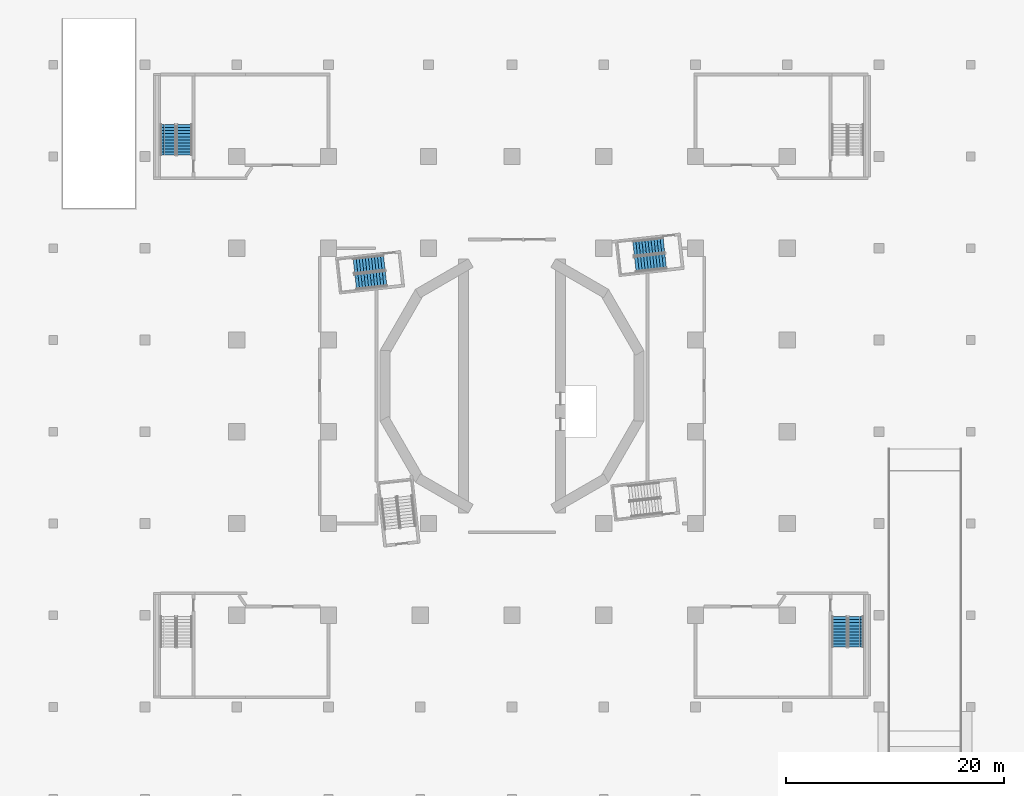
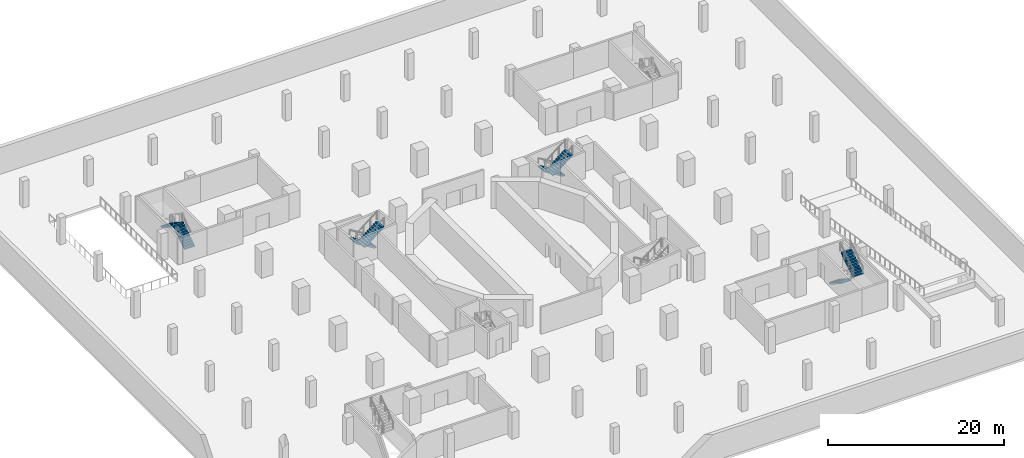
# One storey, part 11 of 18: 8 stair flights, 4 elements without a shape of their own.
"""IFC4 building model written with IfcOpenShell, lengths in metres."""

from ifc_helpers import new_model, si_unit, direction, frame, origin, place, context, subcontext, project, spatial, polyline, outline, extrude, material, type_object, element, aggregate, save


model = new_model("IFC4")

# Units and contexts
model_context = context("Model", 3, precision=1e-05, world=origin(), true_north=direction((0.0, 1.0)))
body_context = subcontext(model_context, "Body", "Model", "MODEL_VIEW")
ifc_project = project(units=[si_unit("LENGTHUNIT", "METRE"), si_unit("AREAUNIT", "SQUARE_METRE"), si_unit("VOLUMEUNIT", "CUBIC_METRE"), si_unit("PLANEANGLEUNIT", "RADIAN"), si_unit("MASSUNIT", "GRAM", prefix="KILO")], contexts=[model_context])

# Site, building, storey
site_placement = place(None, origin())
site = spatial("IfcSite", under=ifc_project, at=site_placement, CompositionType="ELEMENT")
building_placement = place(site_placement, origin())
building = spatial("IfcBuilding", under=site, at=building_placement, Name="Cantera Rosa Tower", CompositionType="ELEMENT")
storey_placement = place(building_placement, frame((0.0, 0.0, -9.0)))
storey = spatial("IfcBuildingStorey", under=building, at=storey_placement, Name="B2", CompositionType="ELEMENT", Elevation=-9.0)

# Stair, stair flights
ifc_material_1 = material(Name="Concrete C35/45", Category="concrete")
stair_type_1 = type_object("IfcStairType", Name="EXIT STAIR 1350 DOGLEG", PredefinedType="HALF_TURN_STAIR", material=ifc_material_1)
stair_1_placement = place(storey_placement, origin())
stair_1 = element("IfcStair", 1, at=stair_1_placement, inside=storey, type_object=stair_type_1, Name="B2 ST-11", PredefinedType="HALF_TURN_STAIR")
ifc_material_2 = material(Name="Concrete C35/45", Category="concrete")
stair_flight_type_1 = type_object("IfcStairFlightType", Name="STAIR FLIGHT 1350 R22x182", PredefinedType="STRAIGHT", material=ifc_material_2)
stair_flight_1_placement = place(storey_placement, frame((13.90869140625, 12.89990234375, 0.0), z_axis=(0.0, 0.0, 1.0), x_axis=(-0.993896947056, -0.110312549749, 0.0)))
stair_flight_1 = element("IfcStairFlight", 2, at=stair_flight_1_placement, type_object=stair_flight_type_1, Name="ST-11 flight 1", NumberOfRisers=11, NumberOfTreads=10, PredefinedType="STRAIGHT", RiserHeight=0.181818182, TreadLength=0.28, context=body_context, shape_type="SweptSolid", body=[
    extrude(outline(polyline([(0.0, 0.0), (0.0, 0.181884765625), (0.280029296875, 0.181884765625), (0.280029296875, 0.363525390625), (0.56005859375, 0.363525390625), (0.56005859375, 0.54541015625), (0.840087890625, 0.54541015625), (0.840087890625, 0.727294921875), (1.1201171875, 0.727294921875), (1.1201171875, 0.9091796875), (1.39990234375, 0.9091796875), (1.39990234375, 1.0908203125), (1.679931640625, 1.0908203125), (1.679931640625, 1.272705078125), (1.9599609375, 1.272705078125), (1.9599609375, 1.45458984375), (2.239990234375, 1.45458984375), (2.239990234375, 1.636474609375), (2.52001953125, 1.636474609375), (2.52001953125, 1.818115234375), (2.800048828125, 1.818115234375), (2.800048828125, 2.0), (2.800048828125, 1.639404296875), (0.275146484375, 0.0), (0.0, 0.0)])), frame((0.0, 0.675048828125, 0.0), z_axis=(0.0, -1.0, 0.0), x_axis=(1.0, 0.0, 0.0)), (0.0, 0.0, 1.0), 0.3359375),
    extrude(outline(polyline([(0.0, 0.0), (0.0, 0.181884765625), (0.280029296875, 0.181884765625), (0.280029296875, 0.363525390625), (0.56005859375, 0.363525390625), (0.56005859375, 0.54541015625), (0.840087890625, 0.54541015625), (0.840087890625, 0.727294921875), (1.1201171875, 0.727294921875), (1.1201171875, 0.9091796875), (1.39990234375, 0.9091796875), (1.39990234375, 1.0908203125), (1.679931640625, 1.0908203125), (1.679931640625, 1.272705078125), (1.9599609375, 1.272705078125), (1.9599609375, 1.45458984375), (2.239990234375, 1.45458984375), (2.239990234375, 1.636474609375), (2.52001953125, 1.636474609375), (2.52001953125, 1.818115234375), (2.800048828125, 1.818115234375), (2.800048828125, 2.0), (2.800048828125, 1.639404296875), (0.275146484375, 0.0), (0.0, 0.0)])), frame((0.0, 0.337158203125, 0.0), z_axis=(0.0, -1.0, 0.0), x_axis=(1.0, 0.0, 0.0)), (0.0, 0.0, 1.0), 0.3359375),
    extrude(outline(polyline([(0.0, 0.0), (0.0, 0.181884765625), (0.280029296875, 0.181884765625), (0.280029296875, 0.363525390625), (0.56005859375, 0.363525390625), (0.56005859375, 0.54541015625), (0.840087890625, 0.54541015625), (0.840087890625, 0.727294921875), (1.1201171875, 0.727294921875), (1.1201171875, 0.9091796875), (1.39990234375, 0.9091796875), (1.39990234375, 1.0908203125), (1.679931640625, 1.0908203125), (1.679931640625, 1.272705078125), (1.9599609375, 1.272705078125), (1.9599609375, 1.45458984375), (2.239990234375, 1.45458984375), (2.239990234375, 1.636474609375), (2.52001953125, 1.636474609375), (2.52001953125, 1.818115234375), (2.800048828125, 1.818115234375), (2.800048828125, 2.0), (2.800048828125, 1.639404296875), (0.275146484375, 0.0), (0.0, 0.0)])), frame((0.0, -0.000732421875, 0.0), z_axis=(0.0, -1.0, 0.0), x_axis=(1.0, 0.0, 0.0)), (0.0, 0.0, 1.0), 0.3359375),
    extrude(outline(polyline([(0.0, 0.0), (0.0, 0.181884765625), (0.280029296875, 0.181884765625), (0.280029296875, 0.363525390625), (0.56005859375, 0.363525390625), (0.56005859375, 0.54541015625), (0.840087890625, 0.54541015625), (0.840087890625, 0.727294921875), (1.1201171875, 0.727294921875), (1.1201171875, 0.9091796875), (1.39990234375, 0.9091796875), (1.39990234375, 1.0908203125), (1.679931640625, 1.0908203125), (1.679931640625, 1.272705078125), (1.9599609375, 1.272705078125), (1.9599609375, 1.45458984375), (2.239990234375, 1.45458984375), (2.239990234375, 1.636474609375), (2.52001953125, 1.636474609375), (2.52001953125, 1.818115234375), (2.800048828125, 1.818115234375), (2.800048828125, 2.0), (2.800048828125, 1.639404296875), (0.275146484375, 0.0), (0.0, 0.0)])), frame((0.0, -0.338623046875, 0.0), z_axis=(0.0, -1.0, 0.0), x_axis=(1.0, 0.0, 0.0)), (0.0, 0.0, 1.0), 0.3359375),
])
stair_flight_2_placement = place(storey_placement, frame((11.291259765625, 11.10009765625, 2.0), z_axis=(0.0, 0.0, 1.0), x_axis=(0.993896947056, 0.110312549749, 0.0)))
stair_flight_2 = element("IfcStairFlight", 3, at=stair_flight_2_placement, type_object=stair_flight_type_1, Name="ST-11 flight 2", NumberOfRisers=11, NumberOfTreads=10, PredefinedType="STRAIGHT", RiserHeight=0.181818182, TreadLength=0.28, context=body_context, shape_type="SweptSolid", body=[
    extrude(outline(polyline([(0.0, 0.0), (0.0, 0.181884765625), (0.280029296875, 0.181884765625), (0.280029296875, 0.363525390625), (0.56005859375, 0.363525390625), (0.56005859375, 0.54541015625), (0.840087890625, 0.54541015625), (0.840087890625, 0.727294921875), (1.1201171875, 0.727294921875), (1.1201171875, 0.9091796875), (1.39990234375, 0.9091796875), (1.39990234375, 1.0908203125), (1.679931640625, 1.0908203125), (1.679931640625, 1.272705078125), (1.9599609375, 1.272705078125), (1.9599609375, 1.45458984375), (2.239990234375, 1.45458984375), (2.239990234375, 1.636474609375), (2.52001953125, 1.636474609375), (2.52001953125, 1.818115234375), (2.800048828125, 1.818115234375), (2.800048828125, 2.0), (2.800048828125, 1.639404296875), (0.275146484375, 0.0), (0.0, 0.0)])), frame((0.0, 0.675048828125, 0.0), z_axis=(0.0, -1.0, 0.0), x_axis=(1.0, 0.0, 0.0)), (0.0, 0.0, 1.0), 0.3359375),
    extrude(outline(polyline([(0.0, 0.0), (0.0, 0.181884765625), (0.280029296875, 0.181884765625), (0.280029296875, 0.363525390625), (0.56005859375, 0.363525390625), (0.56005859375, 0.54541015625), (0.840087890625, 0.54541015625), (0.840087890625, 0.727294921875), (1.1201171875, 0.727294921875), (1.1201171875, 0.9091796875), (1.39990234375, 0.9091796875), (1.39990234375, 1.0908203125), (1.679931640625, 1.0908203125), (1.679931640625, 1.272705078125), (1.9599609375, 1.272705078125), (1.9599609375, 1.45458984375), (2.239990234375, 1.45458984375), (2.239990234375, 1.636474609375), (2.52001953125, 1.636474609375), (2.52001953125, 1.818115234375), (2.800048828125, 1.818115234375), (2.800048828125, 2.0), (2.800048828125, 1.639404296875), (0.275146484375, 0.0), (0.0, 0.0)])), frame((0.0, 0.337158203125, 0.0), z_axis=(0.0, -1.0, 0.0), x_axis=(1.0, 0.0, 0.0)), (0.0, 0.0, 1.0), 0.3359375),
    extrude(outline(polyline([(0.0, 0.0), (0.0, 0.181884765625), (0.280029296875, 0.181884765625), (0.280029296875, 0.363525390625), (0.56005859375, 0.363525390625), (0.56005859375, 0.54541015625), (0.840087890625, 0.54541015625), (0.840087890625, 0.727294921875), (1.1201171875, 0.727294921875), (1.1201171875, 0.9091796875), (1.39990234375, 0.9091796875), (1.39990234375, 1.0908203125), (1.679931640625, 1.0908203125), (1.679931640625, 1.272705078125), (1.9599609375, 1.272705078125), (1.9599609375, 1.45458984375), (2.239990234375, 1.45458984375), (2.239990234375, 1.636474609375), (2.52001953125, 1.636474609375), (2.52001953125, 1.818115234375), (2.800048828125, 1.818115234375), (2.800048828125, 2.0), (2.800048828125, 1.639404296875), (0.275146484375, 0.0), (0.0, 0.0)])), frame((0.0, -0.000732421875, 0.0), z_axis=(0.0, -1.0, 0.0), x_axis=(1.0, 0.0, 0.0)), (0.0, 0.0, 1.0), 0.3359375),
    extrude(outline(polyline([(0.0, 0.0), (0.0, 0.181884765625), (0.280029296875, 0.181884765625), (0.280029296875, 0.363525390625), (0.56005859375, 0.363525390625), (0.56005859375, 0.54541015625), (0.840087890625, 0.54541015625), (0.840087890625, 0.727294921875), (1.1201171875, 0.727294921875), (1.1201171875, 0.9091796875), (1.39990234375, 0.9091796875), (1.39990234375, 1.0908203125), (1.679931640625, 1.0908203125), (1.679931640625, 1.272705078125), (1.9599609375, 1.272705078125), (1.9599609375, 1.45458984375), (2.239990234375, 1.45458984375), (2.239990234375, 1.636474609375), (2.52001953125, 1.636474609375), (2.52001953125, 1.818115234375), (2.800048828125, 1.818115234375), (2.800048828125, 2.0), (2.800048828125, 1.639404296875), (0.275146484375, 0.0), (0.0, 0.0)])), frame((0.0, -0.338623046875, 0.0), z_axis=(0.0, -1.0, 0.0), x_axis=(1.0, 0.0, 0.0)), (0.0, 0.0, 1.0), 0.3359375),
])
aggregate(stair_1, [stair_flight_1, stair_flight_2])

stair_2_placement = place(storey_placement, origin())
stair_2 = element("IfcStair", 4, at=stair_2_placement, inside=storey, type_object=stair_type_1, Name="B2 ST-12", PredefinedType="HALF_TURN_STAIR")
stair_flight_3_placement = place(storey_placement, frame((-11.691162109375, 11.2998046875, 0.0), z_axis=(0.0, 0.0, 1.0), x_axis=(-0.993896947056, -0.110312549749, 0.0)))
stair_flight_3 = element("IfcStairFlight", 5, at=stair_flight_3_placement, type_object=stair_flight_type_1, Name="ST-12 flight 1", NumberOfRisers=11, NumberOfTreads=10, PredefinedType="STRAIGHT", RiserHeight=0.181818182, TreadLength=0.28, context=body_context, shape_type="SweptSolid", body=[
    extrude(outline(polyline([(0.0, 0.0), (0.0, 0.181884765625), (0.280029296875, 0.181884765625), (0.280029296875, 0.363525390625), (0.56005859375, 0.363525390625), (0.56005859375, 0.54541015625), (0.840087890625, 0.54541015625), (0.840087890625, 0.727294921875), (1.1201171875, 0.727294921875), (1.1201171875, 0.9091796875), (1.39990234375, 0.9091796875), (1.39990234375, 1.0908203125), (1.679931640625, 1.0908203125), (1.679931640625, 1.272705078125), (1.9599609375, 1.272705078125), (1.9599609375, 1.45458984375), (2.239990234375, 1.45458984375), (2.239990234375, 1.636474609375), (2.52001953125, 1.636474609375), (2.52001953125, 1.818115234375), (2.800048828125, 1.818115234375), (2.800048828125, 2.0), (2.800048828125, 1.639404296875), (0.275146484375, 0.0), (0.0, 0.0)])), frame((0.0, 0.675048828125, 0.0), z_axis=(0.0, -1.0, 0.0), x_axis=(1.0, 0.0, 0.0)), (0.0, 0.0, 1.0), 0.3359375),
    extrude(outline(polyline([(0.0, 0.0), (0.0, 0.181884765625), (0.280029296875, 0.181884765625), (0.280029296875, 0.363525390625), (0.56005859375, 0.363525390625), (0.56005859375, 0.54541015625), (0.840087890625, 0.54541015625), (0.840087890625, 0.727294921875), (1.1201171875, 0.727294921875), (1.1201171875, 0.9091796875), (1.39990234375, 0.9091796875), (1.39990234375, 1.0908203125), (1.679931640625, 1.0908203125), (1.679931640625, 1.272705078125), (1.9599609375, 1.272705078125), (1.9599609375, 1.45458984375), (2.239990234375, 1.45458984375), (2.239990234375, 1.636474609375), (2.52001953125, 1.636474609375), (2.52001953125, 1.818115234375), (2.800048828125, 1.818115234375), (2.800048828125, 2.0), (2.800048828125, 1.639404296875), (0.275146484375, 0.0), (0.0, 0.0)])), frame((0.0, 0.337158203125, 0.0), z_axis=(0.0, -1.0, 0.0), x_axis=(1.0, 0.0, 0.0)), (0.0, 0.0, 1.0), 0.3359375),
    extrude(outline(polyline([(0.0, 0.0), (0.0, 0.181884765625), (0.280029296875, 0.181884765625), (0.280029296875, 0.363525390625), (0.56005859375, 0.363525390625), (0.56005859375, 0.54541015625), (0.840087890625, 0.54541015625), (0.840087890625, 0.727294921875), (1.1201171875, 0.727294921875), (1.1201171875, 0.9091796875), (1.39990234375, 0.9091796875), (1.39990234375, 1.0908203125), (1.679931640625, 1.0908203125), (1.679931640625, 1.272705078125), (1.9599609375, 1.272705078125), (1.9599609375, 1.45458984375), (2.239990234375, 1.45458984375), (2.239990234375, 1.636474609375), (2.52001953125, 1.636474609375), (2.52001953125, 1.818115234375), (2.800048828125, 1.818115234375), (2.800048828125, 2.0), (2.800048828125, 1.639404296875), (0.275146484375, 0.0), (0.0, 0.0)])), frame((0.0, -0.000732421875, 0.0), z_axis=(0.0, -1.0, 0.0), x_axis=(1.0, 0.0, 0.0)), (0.0, 0.0, 1.0), 0.3359375),
    extrude(outline(polyline([(0.0, 0.0), (0.0, 0.181884765625), (0.280029296875, 0.181884765625), (0.280029296875, 0.363525390625), (0.56005859375, 0.363525390625), (0.56005859375, 0.54541015625), (0.840087890625, 0.54541015625), (0.840087890625, 0.727294921875), (1.1201171875, 0.727294921875), (1.1201171875, 0.9091796875), (1.39990234375, 0.9091796875), (1.39990234375, 1.0908203125), (1.679931640625, 1.0908203125), (1.679931640625, 1.272705078125), (1.9599609375, 1.272705078125), (1.9599609375, 1.45458984375), (2.239990234375, 1.45458984375), (2.239990234375, 1.636474609375), (2.52001953125, 1.636474609375), (2.52001953125, 1.818115234375), (2.800048828125, 1.818115234375), (2.800048828125, 2.0), (2.800048828125, 1.639404296875), (0.275146484375, 0.0), (0.0, 0.0)])), frame((0.0, -0.338623046875, 0.0), z_axis=(0.0, -1.0, 0.0), x_axis=(1.0, 0.0, 0.0)), (0.0, 0.0, 1.0), 0.3359375),
])
stair_flight_4_placement = place(storey_placement, frame((-14.308837890625, 9.500244140625, 2.0), z_axis=(0.0, 0.0, 1.0), x_axis=(0.993896947056, 0.110312549749, 0.0)))
stair_flight_4 = element("IfcStairFlight", 6, at=stair_flight_4_placement, type_object=stair_flight_type_1, Name="ST-12 flight 2", NumberOfRisers=11, NumberOfTreads=10, PredefinedType="STRAIGHT", RiserHeight=0.181818182, TreadLength=0.28, context=body_context, shape_type="SweptSolid", body=[
    extrude(outline(polyline([(0.0, 0.0), (0.0, 0.181884765625), (0.280029296875, 0.181884765625), (0.280029296875, 0.363525390625), (0.56005859375, 0.363525390625), (0.56005859375, 0.54541015625), (0.840087890625, 0.54541015625), (0.840087890625, 0.727294921875), (1.1201171875, 0.727294921875), (1.1201171875, 0.9091796875), (1.39990234375, 0.9091796875), (1.39990234375, 1.0908203125), (1.679931640625, 1.0908203125), (1.679931640625, 1.272705078125), (1.9599609375, 1.272705078125), (1.9599609375, 1.45458984375), (2.239990234375, 1.45458984375), (2.239990234375, 1.636474609375), (2.52001953125, 1.636474609375), (2.52001953125, 1.818115234375), (2.800048828125, 1.818115234375), (2.800048828125, 2.0), (2.800048828125, 1.639404296875), (0.275146484375, 0.0), (0.0, 0.0)])), frame((0.0, 0.675048828125, 0.0), z_axis=(0.0, -1.0, 0.0), x_axis=(1.0, 0.0, 0.0)), (0.0, 0.0, 1.0), 0.3359375),
    extrude(outline(polyline([(0.0, 0.0), (0.0, 0.181884765625), (0.280029296875, 0.181884765625), (0.280029296875, 0.363525390625), (0.56005859375, 0.363525390625), (0.56005859375, 0.54541015625), (0.840087890625, 0.54541015625), (0.840087890625, 0.727294921875), (1.1201171875, 0.727294921875), (1.1201171875, 0.9091796875), (1.39990234375, 0.9091796875), (1.39990234375, 1.0908203125), (1.679931640625, 1.0908203125), (1.679931640625, 1.272705078125), (1.9599609375, 1.272705078125), (1.9599609375, 1.45458984375), (2.239990234375, 1.45458984375), (2.239990234375, 1.636474609375), (2.52001953125, 1.636474609375), (2.52001953125, 1.818115234375), (2.800048828125, 1.818115234375), (2.800048828125, 2.0), (2.800048828125, 1.639404296875), (0.275146484375, 0.0), (0.0, 0.0)])), frame((0.0, 0.337158203125, 0.0), z_axis=(0.0, -1.0, 0.0), x_axis=(1.0, 0.0, 0.0)), (0.0, 0.0, 1.0), 0.3359375),
    extrude(outline(polyline([(0.0, 0.0), (0.0, 0.181884765625), (0.280029296875, 0.181884765625), (0.280029296875, 0.363525390625), (0.56005859375, 0.363525390625), (0.56005859375, 0.54541015625), (0.840087890625, 0.54541015625), (0.840087890625, 0.727294921875), (1.1201171875, 0.727294921875), (1.1201171875, 0.9091796875), (1.39990234375, 0.9091796875), (1.39990234375, 1.0908203125), (1.679931640625, 1.0908203125), (1.679931640625, 1.272705078125), (1.9599609375, 1.272705078125), (1.9599609375, 1.45458984375), (2.239990234375, 1.45458984375), (2.239990234375, 1.636474609375), (2.52001953125, 1.636474609375), (2.52001953125, 1.818115234375), (2.800048828125, 1.818115234375), (2.800048828125, 2.0), (2.800048828125, 1.639404296875), (0.275146484375, 0.0), (0.0, 0.0)])), frame((0.0, -0.000732421875, 0.0), z_axis=(0.0, -1.0, 0.0), x_axis=(1.0, 0.0, 0.0)), (0.0, 0.0, 1.0), 0.3359375),
    extrude(outline(polyline([(0.0, 0.0), (0.0, 0.181884765625), (0.280029296875, 0.181884765625), (0.280029296875, 0.363525390625), (0.56005859375, 0.363525390625), (0.56005859375, 0.54541015625), (0.840087890625, 0.54541015625), (0.840087890625, 0.727294921875), (1.1201171875, 0.727294921875), (1.1201171875, 0.9091796875), (1.39990234375, 0.9091796875), (1.39990234375, 1.0908203125), (1.679931640625, 1.0908203125), (1.679931640625, 1.272705078125), (1.9599609375, 1.272705078125), (1.9599609375, 1.45458984375), (2.239990234375, 1.45458984375), (2.239990234375, 1.636474609375), (2.52001953125, 1.636474609375), (2.52001953125, 1.818115234375), (2.800048828125, 1.818115234375), (2.800048828125, 2.0), (2.800048828125, 1.639404296875), (0.275146484375, 0.0), (0.0, 0.0)])), frame((0.0, -0.338623046875, 0.0), z_axis=(0.0, -1.0, 0.0), x_axis=(1.0, 0.0, 0.0)), (0.0, 0.0, 1.0), 0.3359375),
])
aggregate(stair_2, [stair_flight_3, stair_flight_4])

ifc_material_3 = material(Name="Concrete C35/45", Category="concrete")
stair_type_2 = type_object("IfcStairType", Name="Stair half-turn 1350", PredefinedType="HALF_TURN_STAIR", material=ifc_material_3)
stair_3_placement = place(storey_placement, origin())
stair_3 = element("IfcStair", 7, at=stair_3_placement, inside=storey, type_object=stair_type_2, Name="B2 ST-NW", PredefinedType="HALF_TURN_STAIR")
ifc_material_4 = material(Name="Concrete C35/45", Category="concrete")
stair_flight_type_2 = type_object("IfcStairFlightType", Name="Stair flight 1350", PredefinedType="STRAIGHT", material=ifc_material_4)
stair_flight_5_placement = place(storey_placement, frame((-29.949951171875, 21.125, 0.0), z_axis=(0.0, 0.0, 1.0), x_axis=(0.0, 1.0, 0.0)))
stair_flight_5 = element("IfcStairFlight", 8, at=stair_flight_5_placement, type_object=stair_flight_type_2, Name="ST-NW flight 1", NumberOfRisers=11, NumberOfTreads=10, PredefinedType="STRAIGHT", RiserHeight=0.181818182, TreadLength=0.28, context=body_context, shape_type="SweptSolid", body=[
    extrude(outline(polyline([(0.0, 0.0), (0.0, 0.181884765625), (0.280029296875, 0.181884765625), (0.280029296875, 0.363525390625), (0.56005859375, 0.363525390625), (0.56005859375, 0.54541015625), (0.840087890625, 0.54541015625), (0.840087890625, 0.727294921875), (1.1201171875, 0.727294921875), (1.1201171875, 0.9091796875), (1.39990234375, 0.9091796875), (1.39990234375, 1.0908203125), (1.679931640625, 1.0908203125), (1.679931640625, 1.272705078125), (1.9599609375, 1.272705078125), (1.9599609375, 1.45458984375), (2.239990234375, 1.45458984375), (2.239990234375, 1.636474609375), (2.52001953125, 1.636474609375), (2.52001953125, 1.818115234375), (2.800048828125, 1.818115234375), (2.800048828125, 2.0), (2.800048828125, 1.639404296875), (0.275146484375, 0.0), (0.0, 0.0)])), frame((0.0, 0.675048828125, 0.0), z_axis=(0.0, -1.0, 0.0), x_axis=(1.0, 0.0, 0.0)), (0.0, 0.0, 1.0), 0.3359375),
    extrude(outline(polyline([(0.0, 0.0), (0.0, 0.181884765625), (0.280029296875, 0.181884765625), (0.280029296875, 0.363525390625), (0.56005859375, 0.363525390625), (0.56005859375, 0.54541015625), (0.840087890625, 0.54541015625), (0.840087890625, 0.727294921875), (1.1201171875, 0.727294921875), (1.1201171875, 0.9091796875), (1.39990234375, 0.9091796875), (1.39990234375, 1.0908203125), (1.679931640625, 1.0908203125), (1.679931640625, 1.272705078125), (1.9599609375, 1.272705078125), (1.9599609375, 1.45458984375), (2.239990234375, 1.45458984375), (2.239990234375, 1.636474609375), (2.52001953125, 1.636474609375), (2.52001953125, 1.818115234375), (2.800048828125, 1.818115234375), (2.800048828125, 2.0), (2.800048828125, 1.639404296875), (0.275146484375, 0.0), (0.0, 0.0)])), frame((0.0, 0.337158203125, 0.0), z_axis=(0.0, -1.0, 0.0), x_axis=(1.0, 0.0, 0.0)), (0.0, 0.0, 1.0), 0.3359375),
    extrude(outline(polyline([(0.0, 0.0), (0.0, 0.181884765625), (0.280029296875, 0.181884765625), (0.280029296875, 0.363525390625), (0.56005859375, 0.363525390625), (0.56005859375, 0.54541015625), (0.840087890625, 0.54541015625), (0.840087890625, 0.727294921875), (1.1201171875, 0.727294921875), (1.1201171875, 0.9091796875), (1.39990234375, 0.9091796875), (1.39990234375, 1.0908203125), (1.679931640625, 1.0908203125), (1.679931640625, 1.272705078125), (1.9599609375, 1.272705078125), (1.9599609375, 1.45458984375), (2.239990234375, 1.45458984375), (2.239990234375, 1.636474609375), (2.52001953125, 1.636474609375), (2.52001953125, 1.818115234375), (2.800048828125, 1.818115234375), (2.800048828125, 2.0), (2.800048828125, 1.639404296875), (0.275146484375, 0.0), (0.0, 0.0)])), frame((0.0, -0.000732421875, 0.0), z_axis=(0.0, -1.0, 0.0), x_axis=(1.0, 0.0, 0.0)), (0.0, 0.0, 1.0), 0.3359375),
    extrude(outline(polyline([(0.0, 0.0), (0.0, 0.181884765625), (0.280029296875, 0.181884765625), (0.280029296875, 0.363525390625), (0.56005859375, 0.363525390625), (0.56005859375, 0.54541015625), (0.840087890625, 0.54541015625), (0.840087890625, 0.727294921875), (1.1201171875, 0.727294921875), (1.1201171875, 0.9091796875), (1.39990234375, 0.9091796875), (1.39990234375, 1.0908203125), (1.679931640625, 1.0908203125), (1.679931640625, 1.272705078125), (1.9599609375, 1.272705078125), (1.9599609375, 1.45458984375), (2.239990234375, 1.45458984375), (2.239990234375, 1.636474609375), (2.52001953125, 1.636474609375), (2.52001953125, 1.818115234375), (2.800048828125, 1.818115234375), (2.800048828125, 2.0), (2.800048828125, 1.639404296875), (0.275146484375, 0.0), (0.0, 0.0)])), frame((0.0, -0.338623046875, 0.0), z_axis=(0.0, -1.0, 0.0), x_axis=(1.0, 0.0, 0.0)), (0.0, 0.0, 1.0), 0.3359375),
])
stair_flight_6_placement = place(storey_placement, frame((-31.5, 23.925048828125, 2.0), z_axis=(0.0, 0.0, 1.0), x_axis=(0.0, -1.0, 0.0)))
stair_flight_6 = element("IfcStairFlight", 9, at=stair_flight_6_placement, type_object=stair_flight_type_2, Name="ST-NW flight 2", NumberOfRisers=11, NumberOfTreads=10, PredefinedType="STRAIGHT", RiserHeight=0.181818182, TreadLength=0.28, context=body_context, shape_type="SweptSolid", body=[
    extrude(outline(polyline([(0.0, 0.0), (0.0, 0.181884765625), (0.280029296875, 0.181884765625), (0.280029296875, 0.363525390625), (0.56005859375, 0.363525390625), (0.56005859375, 0.54541015625), (0.840087890625, 0.54541015625), (0.840087890625, 0.727294921875), (1.1201171875, 0.727294921875), (1.1201171875, 0.9091796875), (1.39990234375, 0.9091796875), (1.39990234375, 1.0908203125), (1.679931640625, 1.0908203125), (1.679931640625, 1.272705078125), (1.9599609375, 1.272705078125), (1.9599609375, 1.45458984375), (2.239990234375, 1.45458984375), (2.239990234375, 1.636474609375), (2.52001953125, 1.636474609375), (2.52001953125, 1.818115234375), (2.800048828125, 1.818115234375), (2.800048828125, 2.0), (2.800048828125, 1.639404296875), (0.275146484375, 0.0), (0.0, 0.0)])), frame((0.0, 0.675048828125, 0.0), z_axis=(0.0, -1.0, 0.0), x_axis=(1.0, 0.0, 0.0)), (0.0, 0.0, 1.0), 0.3359375),
    extrude(outline(polyline([(0.0, 0.0), (0.0, 0.181884765625), (0.280029296875, 0.181884765625), (0.280029296875, 0.363525390625), (0.56005859375, 0.363525390625), (0.56005859375, 0.54541015625), (0.840087890625, 0.54541015625), (0.840087890625, 0.727294921875), (1.1201171875, 0.727294921875), (1.1201171875, 0.9091796875), (1.39990234375, 0.9091796875), (1.39990234375, 1.0908203125), (1.679931640625, 1.0908203125), (1.679931640625, 1.272705078125), (1.9599609375, 1.272705078125), (1.9599609375, 1.45458984375), (2.239990234375, 1.45458984375), (2.239990234375, 1.636474609375), (2.52001953125, 1.636474609375), (2.52001953125, 1.818115234375), (2.800048828125, 1.818115234375), (2.800048828125, 2.0), (2.800048828125, 1.639404296875), (0.275146484375, 0.0), (0.0, 0.0)])), frame((0.0, 0.337158203125, 0.0), z_axis=(0.0, -1.0, 0.0), x_axis=(1.0, 0.0, 0.0)), (0.0, 0.0, 1.0), 0.3359375),
    extrude(outline(polyline([(0.0, 0.0), (0.0, 0.181884765625), (0.280029296875, 0.181884765625), (0.280029296875, 0.363525390625), (0.56005859375, 0.363525390625), (0.56005859375, 0.54541015625), (0.840087890625, 0.54541015625), (0.840087890625, 0.727294921875), (1.1201171875, 0.727294921875), (1.1201171875, 0.9091796875), (1.39990234375, 0.9091796875), (1.39990234375, 1.0908203125), (1.679931640625, 1.0908203125), (1.679931640625, 1.272705078125), (1.9599609375, 1.272705078125), (1.9599609375, 1.45458984375), (2.239990234375, 1.45458984375), (2.239990234375, 1.636474609375), (2.52001953125, 1.636474609375), (2.52001953125, 1.818115234375), (2.800048828125, 1.818115234375), (2.800048828125, 2.0), (2.800048828125, 1.639404296875), (0.275146484375, 0.0), (0.0, 0.0)])), frame((0.0, -0.000732421875, 0.0), z_axis=(0.0, -1.0, 0.0), x_axis=(1.0, 0.0, 0.0)), (0.0, 0.0, 1.0), 0.3359375),
    extrude(outline(polyline([(0.0, 0.0), (0.0, 0.181884765625), (0.280029296875, 0.181884765625), (0.280029296875, 0.363525390625), (0.56005859375, 0.363525390625), (0.56005859375, 0.54541015625), (0.840087890625, 0.54541015625), (0.840087890625, 0.727294921875), (1.1201171875, 0.727294921875), (1.1201171875, 0.9091796875), (1.39990234375, 0.9091796875), (1.39990234375, 1.0908203125), (1.679931640625, 1.0908203125), (1.679931640625, 1.272705078125), (1.9599609375, 1.272705078125), (1.9599609375, 1.45458984375), (2.239990234375, 1.45458984375), (2.239990234375, 1.636474609375), (2.52001953125, 1.636474609375), (2.52001953125, 1.818115234375), (2.800048828125, 1.818115234375), (2.800048828125, 2.0), (2.800048828125, 1.639404296875), (0.275146484375, 0.0), (0.0, 0.0)])), frame((0.0, -0.338623046875, 0.0), z_axis=(0.0, -1.0, 0.0), x_axis=(1.0, 0.0, 0.0)), (0.0, 0.0, 1.0), 0.3359375),
])
aggregate(stair_3, [stair_flight_5, stair_flight_6])

stair_4_placement = place(storey_placement, origin())
stair_4 = element("IfcStair", 10, at=stair_4_placement, inside=storey, type_object=stair_type_2, Name="B2 ST-SE", PredefinedType="HALF_TURN_STAIR")
stair_flight_7_placement = place(storey_placement, frame((29.949951171875, -21.125, 0.0), z_axis=(0.0, 0.0, 1.0), x_axis=(0.0, -1.0, 0.0)))
stair_flight_7 = element("IfcStairFlight", 11, at=stair_flight_7_placement, type_object=stair_flight_type_2, Name="ST-SE flight 1", NumberOfRisers=11, NumberOfTreads=10, PredefinedType="STRAIGHT", RiserHeight=0.181818182, TreadLength=0.28, context=body_context, shape_type="SweptSolid", body=[
    extrude(outline(polyline([(0.0, 0.0), (0.0, 0.181884765625), (0.280029296875, 0.181884765625), (0.280029296875, 0.363525390625), (0.56005859375, 0.363525390625), (0.56005859375, 0.54541015625), (0.840087890625, 0.54541015625), (0.840087890625, 0.727294921875), (1.1201171875, 0.727294921875), (1.1201171875, 0.9091796875), (1.39990234375, 0.9091796875), (1.39990234375, 1.0908203125), (1.679931640625, 1.0908203125), (1.679931640625, 1.272705078125), (1.9599609375, 1.272705078125), (1.9599609375, 1.45458984375), (2.239990234375, 1.45458984375), (2.239990234375, 1.636474609375), (2.52001953125, 1.636474609375), (2.52001953125, 1.818115234375), (2.800048828125, 1.818115234375), (2.800048828125, 2.0), (2.800048828125, 1.639404296875), (0.275146484375, 0.0), (0.0, 0.0)])), frame((0.0, 0.675048828125, 0.0), z_axis=(0.0, -1.0, 0.0), x_axis=(1.0, 0.0, 0.0)), (0.0, 0.0, 1.0), 0.3359375),
    extrude(outline(polyline([(0.0, 0.0), (0.0, 0.181884765625), (0.280029296875, 0.181884765625), (0.280029296875, 0.363525390625), (0.56005859375, 0.363525390625), (0.56005859375, 0.54541015625), (0.840087890625, 0.54541015625), (0.840087890625, 0.727294921875), (1.1201171875, 0.727294921875), (1.1201171875, 0.9091796875), (1.39990234375, 0.9091796875), (1.39990234375, 1.0908203125), (1.679931640625, 1.0908203125), (1.679931640625, 1.272705078125), (1.9599609375, 1.272705078125), (1.9599609375, 1.45458984375), (2.239990234375, 1.45458984375), (2.239990234375, 1.636474609375), (2.52001953125, 1.636474609375), (2.52001953125, 1.818115234375), (2.800048828125, 1.818115234375), (2.800048828125, 2.0), (2.800048828125, 1.639404296875), (0.275146484375, 0.0), (0.0, 0.0)])), frame((0.0, 0.337158203125, 0.0), z_axis=(0.0, -1.0, 0.0), x_axis=(1.0, 0.0, 0.0)), (0.0, 0.0, 1.0), 0.3359375),
    extrude(outline(polyline([(0.0, 0.0), (0.0, 0.181884765625), (0.280029296875, 0.181884765625), (0.280029296875, 0.363525390625), (0.56005859375, 0.363525390625), (0.56005859375, 0.54541015625), (0.840087890625, 0.54541015625), (0.840087890625, 0.727294921875), (1.1201171875, 0.727294921875), (1.1201171875, 0.9091796875), (1.39990234375, 0.9091796875), (1.39990234375, 1.0908203125), (1.679931640625, 1.0908203125), (1.679931640625, 1.272705078125), (1.9599609375, 1.272705078125), (1.9599609375, 1.45458984375), (2.239990234375, 1.45458984375), (2.239990234375, 1.636474609375), (2.52001953125, 1.636474609375), (2.52001953125, 1.818115234375), (2.800048828125, 1.818115234375), (2.800048828125, 2.0), (2.800048828125, 1.639404296875), (0.275146484375, 0.0), (0.0, 0.0)])), frame((0.0, -0.000732421875, 0.0), z_axis=(0.0, -1.0, 0.0), x_axis=(1.0, 0.0, 0.0)), (0.0, 0.0, 1.0), 0.3359375),
    extrude(outline(polyline([(0.0, 0.0), (0.0, 0.181884765625), (0.280029296875, 0.181884765625), (0.280029296875, 0.363525390625), (0.56005859375, 0.363525390625), (0.56005859375, 0.54541015625), (0.840087890625, 0.54541015625), (0.840087890625, 0.727294921875), (1.1201171875, 0.727294921875), (1.1201171875, 0.9091796875), (1.39990234375, 0.9091796875), (1.39990234375, 1.0908203125), (1.679931640625, 1.0908203125), (1.679931640625, 1.272705078125), (1.9599609375, 1.272705078125), (1.9599609375, 1.45458984375), (2.239990234375, 1.45458984375), (2.239990234375, 1.636474609375), (2.52001953125, 1.636474609375), (2.52001953125, 1.818115234375), (2.800048828125, 1.818115234375), (2.800048828125, 2.0), (2.800048828125, 1.639404296875), (0.275146484375, 0.0), (0.0, 0.0)])), frame((0.0, -0.338623046875, 0.0), z_axis=(0.0, -1.0, 0.0), x_axis=(1.0, 0.0, 0.0)), (0.0, 0.0, 1.0), 0.3359375),
])
stair_flight_8_placement = place(storey_placement, frame((31.5, -23.925048828125, 2.0), z_axis=(0.0, 0.0, 1.0), x_axis=(0.0, 1.0, 0.0)))
stair_flight_8 = element("IfcStairFlight", 12, at=stair_flight_8_placement, type_object=stair_flight_type_2, Name="ST-SE flight 2", NumberOfRisers=11, NumberOfTreads=10, PredefinedType="STRAIGHT", RiserHeight=0.181818182, TreadLength=0.28, context=body_context, shape_type="SweptSolid", body=[
    extrude(outline(polyline([(0.0, 0.0), (0.0, 0.181884765625), (0.280029296875, 0.181884765625), (0.280029296875, 0.363525390625), (0.56005859375, 0.363525390625), (0.56005859375, 0.54541015625), (0.840087890625, 0.54541015625), (0.840087890625, 0.727294921875), (1.1201171875, 0.727294921875), (1.1201171875, 0.9091796875), (1.39990234375, 0.9091796875), (1.39990234375, 1.0908203125), (1.679931640625, 1.0908203125), (1.679931640625, 1.272705078125), (1.9599609375, 1.272705078125), (1.9599609375, 1.45458984375), (2.239990234375, 1.45458984375), (2.239990234375, 1.636474609375), (2.52001953125, 1.636474609375), (2.52001953125, 1.818115234375), (2.800048828125, 1.818115234375), (2.800048828125, 2.0), (2.800048828125, 1.639404296875), (0.275146484375, 0.0), (0.0, 0.0)])), frame((0.0, 0.675048828125, 0.0), z_axis=(0.0, -1.0, 0.0), x_axis=(1.0, 0.0, 0.0)), (0.0, 0.0, 1.0), 0.3359375),
    extrude(outline(polyline([(0.0, 0.0), (0.0, 0.181884765625), (0.280029296875, 0.181884765625), (0.280029296875, 0.363525390625), (0.56005859375, 0.363525390625), (0.56005859375, 0.54541015625), (0.840087890625, 0.54541015625), (0.840087890625, 0.727294921875), (1.1201171875, 0.727294921875), (1.1201171875, 0.9091796875), (1.39990234375, 0.9091796875), (1.39990234375, 1.0908203125), (1.679931640625, 1.0908203125), (1.679931640625, 1.272705078125), (1.9599609375, 1.272705078125), (1.9599609375, 1.45458984375), (2.239990234375, 1.45458984375), (2.239990234375, 1.636474609375), (2.52001953125, 1.636474609375), (2.52001953125, 1.818115234375), (2.800048828125, 1.818115234375), (2.800048828125, 2.0), (2.800048828125, 1.639404296875), (0.275146484375, 0.0), (0.0, 0.0)])), frame((0.0, 0.337158203125, 0.0), z_axis=(0.0, -1.0, 0.0), x_axis=(1.0, 0.0, 0.0)), (0.0, 0.0, 1.0), 0.3359375),
    extrude(outline(polyline([(0.0, 0.0), (0.0, 0.181884765625), (0.280029296875, 0.181884765625), (0.280029296875, 0.363525390625), (0.56005859375, 0.363525390625), (0.56005859375, 0.54541015625), (0.840087890625, 0.54541015625), (0.840087890625, 0.727294921875), (1.1201171875, 0.727294921875), (1.1201171875, 0.9091796875), (1.39990234375, 0.9091796875), (1.39990234375, 1.0908203125), (1.679931640625, 1.0908203125), (1.679931640625, 1.272705078125), (1.9599609375, 1.272705078125), (1.9599609375, 1.45458984375), (2.239990234375, 1.45458984375), (2.239990234375, 1.636474609375), (2.52001953125, 1.636474609375), (2.52001953125, 1.818115234375), (2.800048828125, 1.818115234375), (2.800048828125, 2.0), (2.800048828125, 1.639404296875), (0.275146484375, 0.0), (0.0, 0.0)])), frame((0.0, -0.000732421875, 0.0), z_axis=(0.0, -1.0, 0.0), x_axis=(1.0, 0.0, 0.0)), (0.0, 0.0, 1.0), 0.3359375),
    extrude(outline(polyline([(0.0, 0.0), (0.0, 0.181884765625), (0.280029296875, 0.181884765625), (0.280029296875, 0.363525390625), (0.56005859375, 0.363525390625), (0.56005859375, 0.54541015625), (0.840087890625, 0.54541015625), (0.840087890625, 0.727294921875), (1.1201171875, 0.727294921875), (1.1201171875, 0.9091796875), (1.39990234375, 0.9091796875), (1.39990234375, 1.0908203125), (1.679931640625, 1.0908203125), (1.679931640625, 1.272705078125), (1.9599609375, 1.272705078125), (1.9599609375, 1.45458984375), (2.239990234375, 1.45458984375), (2.239990234375, 1.636474609375), (2.52001953125, 1.636474609375), (2.52001953125, 1.818115234375), (2.800048828125, 1.818115234375), (2.800048828125, 2.0), (2.800048828125, 1.639404296875), (0.275146484375, 0.0), (0.0, 0.0)])), frame((0.0, -0.338623046875, 0.0), z_axis=(0.0, -1.0, 0.0), x_axis=(1.0, 0.0, 0.0)), (0.0, 0.0, 1.0), 0.3359375),
])
aggregate(stair_4, [stair_flight_7, stair_flight_8])

save(model, "model.ifc")
